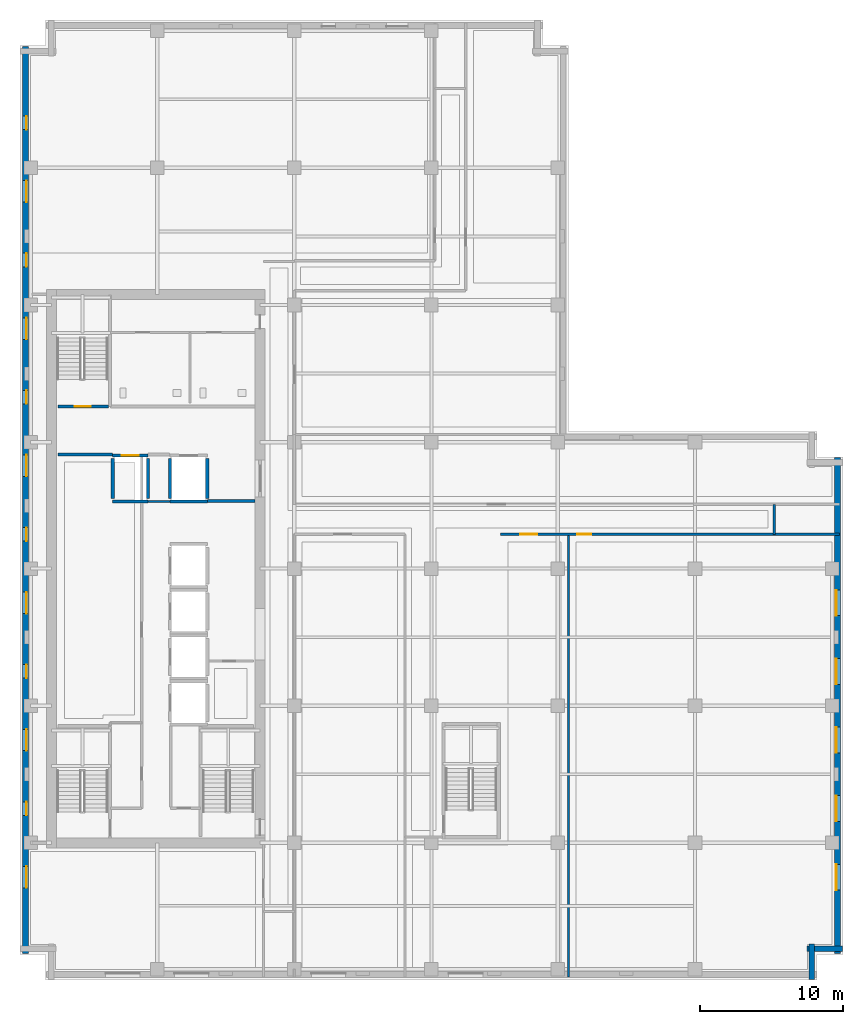
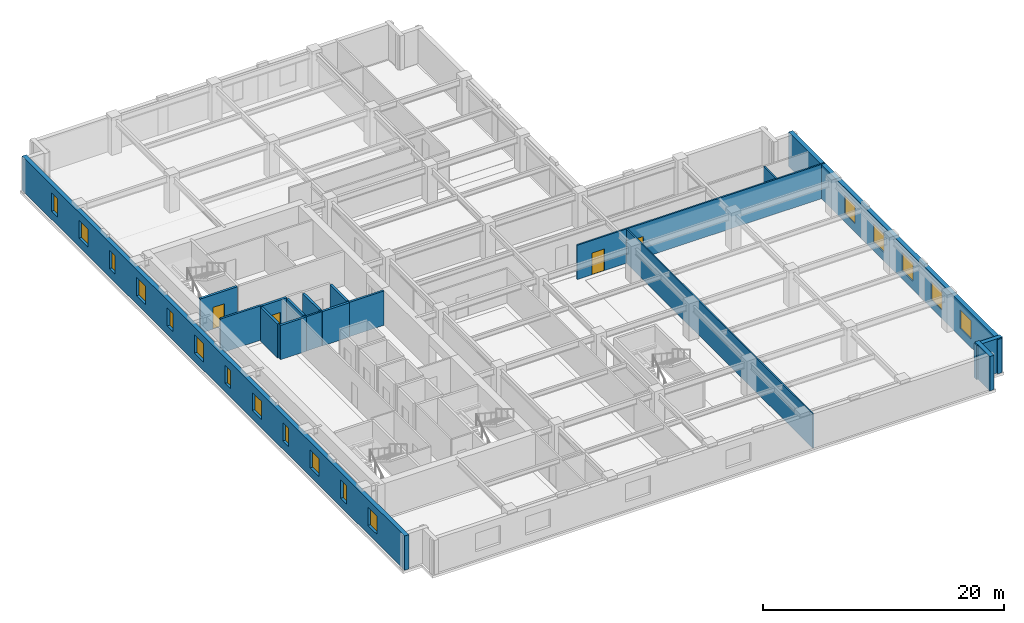
# One storey, part 6 of 13: 18 walls, 17 windows, 4 doors, 21 openings.
"""IFC4 building model written with IfcOpenShell, lengths in metres."""

from ifc_helpers import new_model, si_unit, direction, frame, frame_2d, origin, place, context, subcontext, project, spatial, rectangle, extrude, material, layer, layer_set, type_object, element, fill, save


model = new_model("IFC4")

# Units and contexts
model_context = context("Model", 3, precision=1e-05, world=origin(), true_north=direction((0.0, 1.0)))
body_context = subcontext(model_context, "Body", "Model", "MODEL_VIEW")
ifc_project = project(units=[si_unit("LENGTHUNIT", "METRE"), si_unit("AREAUNIT", "SQUARE_METRE"), si_unit("VOLUMEUNIT", "CUBIC_METRE"), si_unit("PLANEANGLEUNIT", "RADIAN"), si_unit("MASSUNIT", "GRAM", prefix="KILO")], contexts=[model_context])

# Site, building, storey
site_placement = place(None, origin())
site = spatial("IfcSite", under=ifc_project, at=site_placement, CompositionType="ELEMENT")
building_placement = place(site_placement, origin())
building = spatial("IfcBuilding", under=site, at=building_placement, Name="Norrvale University Quadrangle", CompositionType="ELEMENT")
storey_placement = place(building_placement, frame((0.0, 0.0, 190.199951171875)))
storey = spatial("IfcBuildingStorey", under=building, at=storey_placement, Name="L48", CompositionType="ELEMENT", Elevation=190.199951171875)

# Walls
ifc_material_1 = material(Name="Standard Academic Gypsum Partition")
ifc_layer_1 = layer(ifc_material_1, 0.125, Name="Standard Academic Gypsum Partition")
ifc_layer_set_1 = layer_set([ifc_layer_1], Name="Standard Academic Gypsum Partition")
wall_type_1 = type_object("IfcWallType", Name="Wall Gypsum Academic 125", PredefinedType="PARTITIONING", material=ifc_layer_set_1)
wall_1_placement = place(storey_placement, frame((38.39990234375, 0.219970703125, 0.0), z_axis=(0.0, 0.0, 1.0), x_axis=(0.0, 1.0, 0.0)))
element("IfcWall", 1, at=wall_1_placement, inside=storey, type_object=wall_type_1, Name="Interior Partition WL-L48-SEP2", PredefinedType="PARTITIONING", context=body_context, shape_type="SweptSolid", body=[
    extrude(rectangle(XDim=30.97998046875, YDim=0.125, at=frame_2d((15.489990234375, 0.0))), origin(), (0.0, 0.0, 1.0), 3.47998046875),
])
ifc_material_2 = material(Name="Fire-Rated Gypsum Stud Partition")
ifc_layer_2 = layer(ifc_material_2, 0.14990234375, Name="Fire-Rated Gypsum Stud Partition")
ifc_layer_set_2 = layer_set([ifc_layer_2], Name="Fire-Rated Gypsum Stud Partition")
wall_type_2 = type_object("IfcWallType", Name="Wall Gypsum Corridor 150", PredefinedType="PARTITIONING", material=ifc_layer_set_2)
wall_2_placement = place(storey_placement, frame((8.965087890625, 33.489990234375, 0.0), z_axis=(0.0, 0.0, 1.0), x_axis=(1.0, 0.0, 0.0)))
element("IfcWall", 2, at=wall_2_placement, inside=storey, type_object=wall_type_2, Name="Interior Partition WL-L48-LL3", PredefinedType="PARTITIONING", context=body_context, shape_type="SweptSolid", body=[
    extrude(rectangle(XDim=1.52001953125, YDim=0.14990234375, at=frame_2d((0.760009765625, 0.0))), origin(), (0.0, 0.0, 1.0), 3.47998046875),
])
wall_3_placement = place(storey_placement, frame((52.800048828125, 31.199951171875, 0.0), z_axis=(0.0, 0.0, 1.0), x_axis=(0.0, 1.0, 0.0)))
element("IfcWall", 3, at=wall_3_placement, inside=storey, type_object=wall_type_2, Name="Interior Partition WL-L48-CESP-E", PredefinedType="PARTITIONING", context=body_context, shape_type="SweptSolid", body=[
    extrude(rectangle(XDim=2.10009765625, YDim=0.14990234375, at=frame_2d((1.050048828125, 0.0))), origin(), (0.0, 0.0, 1.0), 3.47998046875),
])

# Wall, openings, doors
wall_4_placement = place(storey_placement, frame((33.6201171875, 31.199951171875, 0.0), z_axis=(0.0, 0.0, 1.0), x_axis=(1.0, 0.0, 0.0)))
wall_4 = element("IfcWall", 4, at=wall_4_placement, inside=storey, type_object=wall_type_2, Name="Interior Partition WL-L48-SEW2", PredefinedType="PARTITIONING", context=body_context, shape_type="SweptSolid", body=[
    extrude(rectangle(XDim=23.759765625, YDim=0.14990234375, at=frame_2d((11.8798828125, 0.0))), origin(), (0.0, 0.0, 1.0), 3.47998046875),
])
opening_1_placement = place(wall_4_placement, frame((1.39990234375, 0.0, 0.0)))
opening_1 = element("IfcOpeningElement", 5, at=opening_1_placement, cuts=wall_4, Name="Opening D05", PredefinedType="OPENING", context=body_context, shape_type="SweptSolid", body=[
    extrude(rectangle(XDim=1.199951171875, YDim=2.199951171875, at=frame_2d((0.60009765625, 1.10009765625))), frame((0.0, 0.0869140625, 0.0), z_axis=(0.0, -1.0, 0.0), x_axis=(1.0, 0.0, 0.0)), (0.0, 0.0, 1.0), 0.173828125),
])
opening_2_placement = place(wall_4_placement, frame((5.39990234375, 0.0, 0.0)))
opening_2 = element("IfcOpeningElement", 6, at=opening_2_placement, cuts=wall_4, Name="Opening D07", PredefinedType="OPENING", context=body_context, shape_type="SweptSolid", body=[
    extrude(rectangle(XDim=0.949951171875, YDim=2.14990234375, at=frame_2d((0.47509765625, 1.074951171875))), frame((0.0, 0.0869140625, 0.0), z_axis=(0.0, -1.0, 0.0), x_axis=(1.0, 0.0, 0.0)), (0.0, 0.0, 1.0), 0.173828125),
])
ifc_material_3 = material(Name="Acoustic Oak Classroom Door", Category="wood")
door_type_1 = type_object("IfcDoorType", Name="Door Classroom 1200x2200", OperationType="NOTDEFINED", PredefinedType="DOOR", material=ifc_material_3)
door_1_placement = place(opening_1_placement, origin())
door_1 = element("IfcDoor", 7, at=door_1_placement, inside=storey, type_object=door_type_1, Name="Door Classroom 1200x2200 DR-L48-SE2", OperationType="SINGLE_SWING_RIGHT", OverallHeight=2.199951171875, OverallWidth=1.199951171875, PredefinedType="DOOR", context=body_context, shape_type="SweptSolid", body=[
    extrude(rectangle(XDim=1.199951171875, YDim=2.199951171875, at=frame_2d((0.60009765625, 1.10009765625))), frame((0.0, 0.02490234375, 0.0), z_axis=(0.0, -1.0, 0.0), x_axis=(1.0, 0.0, 0.0)), (0.0, 0.0, 1.0), 0.050048828125),
])
fill(opening_1, door_1)
ifc_material_4 = material(Name="Solid-Core Maple Door", Category="wood")
door_type_2 = type_object("IfcDoorType", Name="Door Office 950x2150", OperationType="NOTDEFINED", PredefinedType="DOOR", material=ifc_material_4)
door_2_placement = place(opening_2_placement, origin())
door_2 = element("IfcDoor", 8, at=door_2_placement, inside=storey, type_object=door_type_2, Name="Door Office 950x2150 DR-L48-SE3", OperationType="SINGLE_SWING_LEFT", OverallHeight=2.14990234375, OverallWidth=0.949951171875, PredefinedType="DOOR", context=body_context, shape_type="SweptSolid", body=[
    extrude(rectangle(XDim=0.949951171875, YDim=2.14990234375, at=frame_2d((0.47509765625, 1.074951171875))), frame((0.0, 0.02490234375, 0.0), z_axis=(0.0, -1.0, 0.0), x_axis=(1.0, 0.0, 0.0)), (0.0, 0.0, 1.0), 0.050048828125),
])
fill(opening_2, door_2)

# Walls
ifc_material_5 = material(Name="Concrete Blockwork 20 MPa Rated Wall", Category="masonry")
ifc_layer_3 = layer(ifc_material_5, 0.199951171875, Name="Concrete Blockwork 20 MPa Rated Wall")
ifc_layer_set_3 = layer_set([ifc_layer_3], Name="Concrete Blockwork 20 MPa Rated Wall")
wall_type_3 = type_object("IfcWallType", Name="Wall Lobby 200", PredefinedType="SOLIDWALL", material=ifc_layer_set_3)
wall_5_placement = place(storey_placement, frame((2.64990234375, 36.780029296875, 0.0), z_axis=(0.0, 0.0, 1.0), x_axis=(1.0, 0.0, 0.0)))
element("IfcWall", 9, at=wall_5_placement, inside=storey, type_object=wall_type_3, Name="Interior Partition WL-L48-FF1", PredefinedType="SOLIDWALL", context=body_context, shape_type="SweptSolid", body=[
    extrude(rectangle(XDim=3.830078125, YDim=0.199951171875, at=frame_2d((1.9150390625, 0.0))), origin(), (0.0, 0.0, 1.0), 3.47998046875),
])
wall_6_placement = place(storey_placement, frame((13.1201171875, 33.52001953125, 0.0), z_axis=(0.0, 0.0, 1.0), x_axis=(1.0, 0.0, 0.0)))
element("IfcWall", 10, at=wall_6_placement, inside=storey, type_object=wall_type_3, Name="Interior Partition WL-L48-FF3", PredefinedType="SOLIDWALL", context=body_context, shape_type="SweptSolid", body=[
    extrude(rectangle(XDim=3.329833984375, YDim=0.199951171875, at=frame_2d((1.6650390625, 0.0))), origin(), (0.0, 0.0, 1.0), 3.47998046875),
])
ifc_material_6 = material(Name="Red Manganese Brick Masonry", Category="masonry")
ifc_layer_4 = layer(ifc_material_6, 0.39990234375, Name="Red Manganese Brick Masonry")
ifc_layer_set_4 = layer_set([ifc_layer_4], Name="Red Manganese Brick Masonry")
wall_type_4 = type_object("IfcWallType", Name="Wall Red Brick 400", PredefinedType="SOLIDWALL", material=ifc_layer_set_4)
for number, where, z_axis, x_axis, name in (
    (11, (55.419921875, 0.0400390625, 0.0), (0.0, 0.0, 1.0), (0.0, 1.0, 0.0), "Exterior Brick Facade Wall L48-02.1"),
    (12, (55.080078125, 2.179931640625, 0.0), (0.0, 0.0, 1.0), (1.0, 0.0, 0.0), "Exterior Brick Facade Wall L48-03.1"),
):
    element("IfcWall", number, at=place(storey_placement, frame(where, z_axis=z_axis, x_axis=x_axis)), inside=storey, type_object=wall_type_4, Name=name, PredefinedType="SOLIDWALL", context=body_context, shape_type="SweptSolid", body=[
        extrude(rectangle(XDim=2.47998046875, YDim=0.39990234375, at=frame_2d((1.239990234375, 0.0))), origin(), (0.0, 0.0, 1.0), 3.47998046875),
    ])

# Wall, openings, windows
wall_7_placement = place(storey_placement, frame((57.219970703125, 1.840087890625, 0.0), z_axis=(0.0, 0.0, 1.0), x_axis=(0.0, 1.0, 0.0)))
wall_7 = element("IfcWall", 13, at=wall_7_placement, inside=storey, type_object=wall_type_4, Name="Exterior Brick Facade Wall L48-04.1", PredefinedType="SOLIDWALL", context=body_context, shape_type="SweptSolid", body=[
    extrude(rectangle(XDim=34.719970703125, YDim=0.39990234375, at=frame_2d((17.35986328125, 0.0))), origin(), (0.0, 0.0, 1.0), 3.47998046875),
])
opening_3_placement = place(wall_7_placement, frame((4.4599609375, 0.0, 0.85009765625)))
opening_3 = element("IfcOpeningElement", 14, at=opening_3_placement, cuts=wall_7, Name="Opening W01", PredefinedType="OPENING", context=body_context, shape_type="SweptSolid", body=[
    extrude(rectangle(XDim=1.800048828125, YDim=1.85009765625, at=frame_2d((0.89990234375, 0.925048828125))), frame((0.0, 0.2119140625, 0.0), z_axis=(0.0, -1.0, 0.0), x_axis=(1.0, 0.0, 0.0)), (0.0, 0.0, 1.0), 0.423828125),
])
opening_4_placement = place(wall_7_placement, frame((9.260009765625, 0.0, 0.85009765625)))
opening_4 = element("IfcOpeningElement", 15, at=opening_4_placement, cuts=wall_7, Name="Opening W01", PredefinedType="OPENING", context=body_context, shape_type="SweptSolid", body=[
    extrude(rectangle(XDim=1.800048828125, YDim=1.85009765625, at=frame_2d((0.89990234375, 0.925048828125))), frame((0.0, 0.2119140625, 0.0), z_axis=(0.0, -1.0, 0.0), x_axis=(1.0, 0.0, 0.0)), (0.0, 0.0, 1.0), 0.423828125),
])
opening_5_placement = place(wall_7_placement, frame((14.06005859375, 0.0, 0.85009765625)))
opening_5 = element("IfcOpeningElement", 16, at=opening_5_placement, cuts=wall_7, Name="Opening W01", PredefinedType="OPENING", context=body_context, shape_type="SweptSolid", body=[
    extrude(rectangle(XDim=1.800048828125, YDim=1.85009765625, at=frame_2d((0.89990234375, 0.925048828125))), frame((0.0, 0.2119140625, 0.0), z_axis=(0.0, -1.0, 0.0), x_axis=(1.0, 0.0, 0.0)), (0.0, 0.0, 1.0), 0.423828125),
])
opening_6_placement = place(wall_7_placement, frame((18.860107421875, 0.0, 0.85009765625)))
opening_6 = element("IfcOpeningElement", 17, at=opening_6_placement, cuts=wall_7, Name="Opening W01", PredefinedType="OPENING", context=body_context, shape_type="SweptSolid", body=[
    extrude(rectangle(XDim=1.800048828125, YDim=1.85009765625, at=frame_2d((0.89990234375, 0.925048828125))), frame((0.0, 0.2119140625, 0.0), z_axis=(0.0, -1.0, 0.0), x_axis=(1.0, 0.0, 0.0)), (0.0, 0.0, 1.0), 0.423828125),
])
opening_7_placement = place(wall_7_placement, frame((23.659912109375, 0.0, 0.85009765625)))
opening_7 = element("IfcOpeningElement", 18, at=opening_7_placement, cuts=wall_7, Name="Opening W01", PredefinedType="OPENING", context=body_context, shape_type="SweptSolid", body=[
    extrude(rectangle(XDim=1.800048828125, YDim=1.85009765625, at=frame_2d((0.89990234375, 0.925048828125))), frame((0.0, 0.2119140625, 0.0), z_axis=(0.0, -1.0, 0.0), x_axis=(1.0, 0.0, 0.0)), (0.0, 0.0, 1.0), 0.423828125),
])
ifc_material_7 = material(Name="Triple Low-E Argon Glazing", Category="glass")
window_type_1 = type_object("IfcWindowType", Name="Window Academic 1800x2300", PartitioningType="DOUBLE_PANEL_VERTICAL", PredefinedType="WINDOW", material=ifc_material_7)
window_1_placement = place(opening_3_placement, origin())
window_1 = element("IfcWindow", 19, at=window_1_placement, inside=storey, type_object=window_type_1, Name="Window Academic 1800x2300 WIN-L48-E04-1-01", OverallHeight=1.85009765625, OverallWidth=1.800048828125, PartitioningType="DOUBLE_PANEL_VERTICAL", PredefinedType="WINDOW", context=body_context, shape_type="SweptSolid", body=[
    extrude(rectangle(XDim=1.800048828125, YDim=1.85009765625, at=frame_2d((0.89990234375, 0.925048828125))), frame((0.0, 0.110107421875, 0.0), z_axis=(0.0, -1.0, 0.0), x_axis=(1.0, 0.0, 0.0)), (0.0, 0.0, 1.0), 0.06005859375),
])
fill(opening_3, window_1)
window_2_placement = place(opening_4_placement, origin())
window_2 = element("IfcWindow", 20, at=window_2_placement, inside=storey, type_object=window_type_1, Name="Window Academic 1800x2300 WIN-L48-E04-1-02", OverallHeight=1.85009765625, OverallWidth=1.800048828125, PartitioningType="DOUBLE_PANEL_VERTICAL", PredefinedType="WINDOW", context=body_context, shape_type="SweptSolid", body=[
    extrude(rectangle(XDim=1.800048828125, YDim=1.85009765625, at=frame_2d((0.89990234375, 0.925048828125))), frame((0.0, 0.110107421875, 0.0), z_axis=(0.0, -1.0, 0.0), x_axis=(1.0, 0.0, 0.0)), (0.0, 0.0, 1.0), 0.06005859375),
])
fill(opening_4, window_2)
window_3_placement = place(opening_5_placement, origin())
window_3 = element("IfcWindow", 21, at=window_3_placement, inside=storey, type_object=window_type_1, Name="Window Academic 1800x2300 WIN-L48-E04-1-03", OverallHeight=1.85009765625, OverallWidth=1.800048828125, PartitioningType="DOUBLE_PANEL_VERTICAL", PredefinedType="WINDOW", context=body_context, shape_type="SweptSolid", body=[
    extrude(rectangle(XDim=1.800048828125, YDim=1.85009765625, at=frame_2d((0.89990234375, 0.925048828125))), frame((0.0, 0.110107421875, 0.0), z_axis=(0.0, -1.0, 0.0), x_axis=(1.0, 0.0, 0.0)), (0.0, 0.0, 1.0), 0.06005859375),
])
fill(opening_5, window_3)
window_4_placement = place(opening_6_placement, origin())
window_4 = element("IfcWindow", 22, at=window_4_placement, inside=storey, type_object=window_type_1, Name="Window Academic 1800x2300 WIN-L48-E04-1-04", OverallHeight=1.85009765625, OverallWidth=1.800048828125, PartitioningType="DOUBLE_PANEL_VERTICAL", PredefinedType="WINDOW", context=body_context, shape_type="SweptSolid", body=[
    extrude(rectangle(XDim=1.800048828125, YDim=1.85009765625, at=frame_2d((0.89990234375, 0.925048828125))), frame((0.0, 0.110107421875, 0.0), z_axis=(0.0, -1.0, 0.0), x_axis=(1.0, 0.0, 0.0)), (0.0, 0.0, 1.0), 0.06005859375),
])
fill(opening_6, window_4)
window_5_placement = place(opening_7_placement, origin())
window_5 = element("IfcWindow", 23, at=window_5_placement, inside=storey, type_object=window_type_1, Name="Window Academic 1800x2300 WIN-L48-E04-1-05", OverallHeight=1.85009765625, OverallWidth=1.800048828125, PartitioningType="DOUBLE_PANEL_VERTICAL", PredefinedType="WINDOW", context=body_context, shape_type="SweptSolid", body=[
    extrude(rectangle(XDim=1.800048828125, YDim=1.85009765625, at=frame_2d((0.89990234375, 0.925048828125))), frame((0.0, 0.110107421875, 0.0), z_axis=(0.0, -1.0, 0.0), x_axis=(1.0, 0.0, 0.0)), (0.0, 0.0, 1.0), 0.06005859375),
])
fill(opening_7, window_5)

wall_8_placement = place(storey_placement, frame((0.3798828125, 65.360107421875, 0.0), z_axis=(0.0, 0.0, 1.0), x_axis=(0.0, -1.0, 0.0)))
wall_8 = element("IfcWall", 24, at=wall_8_placement, inside=storey, type_object=wall_type_4, Name="Exterior Brick Facade Wall L48-14.1", PredefinedType="SOLIDWALL", context=body_context, shape_type="SweptSolid", body=[
    extrude(rectangle(XDim=63.52001953125, YDim=0.39990234375, at=frame_2d((31.760009765625, 0.0))), origin(), (0.0, 0.0, 1.0), 3.47998046875),
])
opening_8_placement = place(wall_8_placement, frame((4.885009765625, 0.0, 0.85009765625)))
opening_8 = element("IfcOpeningElement", 25, at=opening_8_placement, cuts=wall_8, Name="Opening W04", PredefinedType="OPENING", context=body_context, shape_type="SweptSolid", body=[
    extrude(rectangle(XDim=0.949951171875, YDim=1.85009765625, at=frame_2d((0.47509765625, 0.925048828125))), frame((0.0, 0.2119140625, 0.0), z_axis=(0.0, -1.0, 0.0), x_axis=(1.0, 0.0, 0.0)), (0.0, 0.0, 1.0), 0.423828125),
])
opening_9_placement = place(wall_8_placement, frame((9.409912109375, 0.0, 0.85009765625)))
opening_9 = element("IfcOpeningElement", 26, at=opening_9_placement, cuts=wall_8, Name="Opening W03", PredefinedType="OPENING", context=body_context, shape_type="SweptSolid", body=[
    extrude(rectangle(XDim=1.5, YDim=1.85009765625, at=frame_2d((0.75, 0.925048828125))), frame((0.0, 0.2119140625, 0.0), z_axis=(0.0, -1.0, 0.0), x_axis=(1.0, 0.0, 0.0)), (0.0, 0.0, 1.0), 0.423828125),
])
opening_10_placement = place(wall_8_placement, frame((14.485107421875, 0.0, 0.85009765625)))
opening_10 = element("IfcOpeningElement", 27, at=opening_10_placement, cuts=wall_8, Name="Opening W04", PredefinedType="OPENING", context=body_context, shape_type="SweptSolid", body=[
    extrude(rectangle(XDim=0.949951171875, YDim=1.85009765625, at=frame_2d((0.47509765625, 0.925048828125))), frame((0.0, 0.2119140625, 0.0), z_axis=(0.0, -1.0, 0.0), x_axis=(1.0, 0.0, 0.0)), (0.0, 0.0, 1.0), 0.423828125),
])
opening_11_placement = place(wall_8_placement, frame((19.010009765625, 0.0, 0.85009765625)))
opening_11 = element("IfcOpeningElement", 28, at=opening_11_placement, cuts=wall_8, Name="Opening W03", PredefinedType="OPENING", context=body_context, shape_type="SweptSolid", body=[
    extrude(rectangle(XDim=1.5, YDim=1.85009765625, at=frame_2d((0.75, 0.925048828125))), frame((0.0, 0.2119140625, 0.0), z_axis=(0.0, -1.0, 0.0), x_axis=(1.0, 0.0, 0.0)), (0.0, 0.0, 1.0), 0.423828125),
])
opening_12_placement = place(wall_8_placement, frame((24.0849609375, 0.0, 0.85009765625)))
opening_12 = element("IfcOpeningElement", 29, at=opening_12_placement, cuts=wall_8, Name="Opening W04", PredefinedType="OPENING", context=body_context, shape_type="SweptSolid", body=[
    extrude(rectangle(XDim=0.949951171875, YDim=1.85009765625, at=frame_2d((0.47509765625, 0.925048828125))), frame((0.0, 0.2119140625, 0.0), z_axis=(0.0, -1.0, 0.0), x_axis=(1.0, 0.0, 0.0)), (0.0, 0.0, 1.0), 0.423828125),
])
opening_13_placement = place(wall_8_placement, frame((28.610107421875, 0.0, 0.85009765625)))
opening_13 = element("IfcOpeningElement", 30, at=opening_13_placement, cuts=wall_8, Name="Opening W03", PredefinedType="OPENING", context=body_context, shape_type="SweptSolid", body=[
    extrude(rectangle(XDim=1.5, YDim=1.85009765625, at=frame_2d((0.75, 0.925048828125))), frame((0.0, 0.2119140625, 0.0), z_axis=(0.0, -1.0, 0.0), x_axis=(1.0, 0.0, 0.0)), (0.0, 0.0, 1.0), 0.423828125),
])
opening_14_placement = place(wall_8_placement, frame((33.68505859375, 0.0, 0.85009765625)))
opening_14 = element("IfcOpeningElement", 31, at=opening_14_placement, cuts=wall_8, Name="Opening W04", PredefinedType="OPENING", context=body_context, shape_type="SweptSolid", body=[
    extrude(rectangle(XDim=0.949951171875, YDim=1.85009765625, at=frame_2d((0.47509765625, 0.925048828125))), frame((0.0, 0.2119140625, 0.0), z_axis=(0.0, -1.0, 0.0), x_axis=(1.0, 0.0, 0.0)), (0.0, 0.0, 1.0), 0.423828125),
])
opening_15_placement = place(wall_8_placement, frame((38.2099609375, 0.0, 0.85009765625)))
opening_15 = element("IfcOpeningElement", 32, at=opening_15_placement, cuts=wall_8, Name="Opening W03", PredefinedType="OPENING", context=body_context, shape_type="SweptSolid", body=[
    extrude(rectangle(XDim=1.5, YDim=1.85009765625, at=frame_2d((0.75, 0.925048828125))), frame((0.0, 0.2119140625, 0.0), z_axis=(0.0, -1.0, 0.0), x_axis=(1.0, 0.0, 0.0)), (0.0, 0.0, 1.0), 0.423828125),
])
opening_16_placement = place(wall_8_placement, frame((43.284912109375, 0.0, 0.85009765625)))
opening_16 = element("IfcOpeningElement", 33, at=opening_16_placement, cuts=wall_8, Name="Opening W04", PredefinedType="OPENING", context=body_context, shape_type="SweptSolid", body=[
    extrude(rectangle(XDim=0.949951171875, YDim=1.85009765625, at=frame_2d((0.47509765625, 0.925048828125))), frame((0.0, 0.2119140625, 0.0), z_axis=(0.0, -1.0, 0.0), x_axis=(1.0, 0.0, 0.0)), (0.0, 0.0, 1.0), 0.423828125),
])
opening_17_placement = place(wall_8_placement, frame((47.81005859375, 0.0, 0.85009765625)))
opening_17 = element("IfcOpeningElement", 34, at=opening_17_placement, cuts=wall_8, Name="Opening W03", PredefinedType="OPENING", context=body_context, shape_type="SweptSolid", body=[
    extrude(rectangle(XDim=1.5, YDim=1.85009765625, at=frame_2d((0.75, 0.925048828125))), frame((0.0, 0.2119140625, 0.0), z_axis=(0.0, -1.0, 0.0), x_axis=(1.0, 0.0, 0.0)), (0.0, 0.0, 1.0), 0.423828125),
])
opening_18_placement = place(wall_8_placement, frame((52.885009765625, 0.0, 0.85009765625)))
opening_18 = element("IfcOpeningElement", 35, at=opening_18_placement, cuts=wall_8, Name="Opening W04", PredefinedType="OPENING", context=body_context, shape_type="SweptSolid", body=[
    extrude(rectangle(XDim=0.949951171875, YDim=1.85009765625, at=frame_2d((0.47509765625, 0.925048828125))), frame((0.0, 0.2119140625, 0.0), z_axis=(0.0, -1.0, 0.0), x_axis=(1.0, 0.0, 0.0)), (0.0, 0.0, 1.0), 0.423828125),
])
opening_19_placement = place(wall_8_placement, frame((57.409912109375, 0.0, 0.85009765625)))
opening_19 = element("IfcOpeningElement", 36, at=opening_19_placement, cuts=wall_8, Name="Opening W03", PredefinedType="OPENING", context=body_context, shape_type="SweptSolid", body=[
    extrude(rectangle(XDim=1.5, YDim=1.85009765625, at=frame_2d((0.75, 0.925048828125))), frame((0.0, 0.2119140625, 0.0), z_axis=(0.0, -1.0, 0.0), x_axis=(1.0, 0.0, 0.0)), (0.0, 0.0, 1.0), 0.423828125),
])
window_type_2 = type_object("IfcWindowType", Name="Window Narrow Pier 950x2300", PartitioningType="SINGLE_PANEL", PredefinedType="WINDOW", material=ifc_material_7)
window_6_placement = place(opening_8_placement, origin())
window_6 = element("IfcWindow", 37, at=window_6_placement, inside=storey, type_object=window_type_2, Name="Window Narrow Pier 950x2300 WIN-L48-E14-1-01", OverallHeight=1.85009765625, OverallWidth=0.949951171875, PartitioningType="SINGLE_PANEL", PredefinedType="WINDOW", context=body_context, shape_type="SweptSolid", body=[
    extrude(rectangle(XDim=0.949951171875, YDim=1.85009765625, at=frame_2d((0.47509765625, 0.925048828125))), frame((0.0, 0.110107421875, 0.0), z_axis=(0.0, -1.0, 0.0), x_axis=(1.0, 0.0, 0.0)), (0.0, 0.0, 1.0), 0.06005859375),
])
fill(opening_8, window_6)
window_7_placement = place(opening_10_placement, origin())
window_7 = element("IfcWindow", 38, at=window_7_placement, inside=storey, type_object=window_type_2, Name="Window Narrow Pier 950x2300 WIN-L48-E14-1-03", OverallHeight=1.85009765625, OverallWidth=0.949951171875, PartitioningType="SINGLE_PANEL", PredefinedType="WINDOW", context=body_context, shape_type="SweptSolid", body=[
    extrude(rectangle(XDim=0.949951171875, YDim=1.85009765625, at=frame_2d((0.47509765625, 0.925048828125))), frame((0.0, 0.110107421875, 0.0), z_axis=(0.0, -1.0, 0.0), x_axis=(1.0, 0.0, 0.0)), (0.0, 0.0, 1.0), 0.06005859375),
])
fill(opening_10, window_7)
window_8_placement = place(opening_12_placement, origin())
window_8 = element("IfcWindow", 39, at=window_8_placement, inside=storey, type_object=window_type_2, Name="Window Narrow Pier 950x2300 WIN-L48-E14-1-05", OverallHeight=1.85009765625, OverallWidth=0.949951171875, PartitioningType="SINGLE_PANEL", PredefinedType="WINDOW", context=body_context, shape_type="SweptSolid", body=[
    extrude(rectangle(XDim=0.949951171875, YDim=1.85009765625, at=frame_2d((0.47509765625, 0.925048828125))), frame((0.0, 0.110107421875, 0.0), z_axis=(0.0, -1.0, 0.0), x_axis=(1.0, 0.0, 0.0)), (0.0, 0.0, 1.0), 0.06005859375),
])
fill(opening_12, window_8)
window_9_placement = place(opening_14_placement, origin())
window_9 = element("IfcWindow", 40, at=window_9_placement, inside=storey, type_object=window_type_2, Name="Window Narrow Pier 950x2300 WIN-L48-E14-1-07", OverallHeight=1.85009765625, OverallWidth=0.949951171875, PartitioningType="SINGLE_PANEL", PredefinedType="WINDOW", context=body_context, shape_type="SweptSolid", body=[
    extrude(rectangle(XDim=0.949951171875, YDim=1.85009765625, at=frame_2d((0.47509765625, 0.925048828125))), frame((0.0, 0.110107421875, 0.0), z_axis=(0.0, -1.0, 0.0), x_axis=(1.0, 0.0, 0.0)), (0.0, 0.0, 1.0), 0.06005859375),
])
fill(opening_14, window_9)
window_10_placement = place(opening_16_placement, origin())
window_10 = element("IfcWindow", 41, at=window_10_placement, inside=storey, type_object=window_type_2, Name="Window Narrow Pier 950x2300 WIN-L48-E14-1-09", OverallHeight=1.85009765625, OverallWidth=0.949951171875, PartitioningType="SINGLE_PANEL", PredefinedType="WINDOW", context=body_context, shape_type="SweptSolid", body=[
    extrude(rectangle(XDim=0.949951171875, YDim=1.85009765625, at=frame_2d((0.47509765625, 0.925048828125))), frame((0.0, 0.110107421875, 0.0), z_axis=(0.0, -1.0, 0.0), x_axis=(1.0, 0.0, 0.0)), (0.0, 0.0, 1.0), 0.06005859375),
])
fill(opening_16, window_10)
window_11_placement = place(opening_18_placement, origin())
window_11 = element("IfcWindow", 42, at=window_11_placement, inside=storey, type_object=window_type_2, Name="Window Narrow Pier 950x2300 WIN-L48-E14-1-11", OverallHeight=1.85009765625, OverallWidth=0.949951171875, PartitioningType="SINGLE_PANEL", PredefinedType="WINDOW", context=body_context, shape_type="SweptSolid", body=[
    extrude(rectangle(XDim=0.949951171875, YDim=1.85009765625, at=frame_2d((0.47509765625, 0.925048828125))), frame((0.0, 0.110107421875, 0.0), z_axis=(0.0, -1.0, 0.0), x_axis=(1.0, 0.0, 0.0)), (0.0, 0.0, 1.0), 0.06005859375),
])
fill(opening_18, window_11)
window_type_3 = type_object("IfcWindowType", Name="Window Studio 1500x2300", PartitioningType="DOUBLE_PANEL_VERTICAL", PredefinedType="WINDOW", material=ifc_material_7)
window_12_placement = place(opening_9_placement, origin())
window_12 = element("IfcWindow", 43, at=window_12_placement, inside=storey, type_object=window_type_3, Name="Window Studio 1500x2300 WIN-L48-E14-1-02", OverallHeight=1.85009765625, OverallWidth=1.5, PartitioningType="DOUBLE_PANEL_VERTICAL", PredefinedType="WINDOW", context=body_context, shape_type="SweptSolid", body=[
    extrude(rectangle(XDim=1.5, YDim=1.85009765625, at=frame_2d((0.75, 0.925048828125))), frame((0.0, 0.110107421875, 0.0), z_axis=(0.0, -1.0, 0.0), x_axis=(1.0, 0.0, 0.0)), (0.0, 0.0, 1.0), 0.06005859375),
])
fill(opening_9, window_12)
window_13_placement = place(opening_11_placement, origin())
window_13 = element("IfcWindow", 44, at=window_13_placement, inside=storey, type_object=window_type_3, Name="Window Studio 1500x2300 WIN-L48-E14-1-04", OverallHeight=1.85009765625, OverallWidth=1.5, PartitioningType="DOUBLE_PANEL_VERTICAL", PredefinedType="WINDOW", context=body_context, shape_type="SweptSolid", body=[
    extrude(rectangle(XDim=1.5, YDim=1.85009765625, at=frame_2d((0.75, 0.925048828125))), frame((0.0, 0.110107421875, 0.0), z_axis=(0.0, -1.0, 0.0), x_axis=(1.0, 0.0, 0.0)), (0.0, 0.0, 1.0), 0.06005859375),
])
fill(opening_11, window_13)
window_14_placement = place(opening_13_placement, origin())
window_14 = element("IfcWindow", 45, at=window_14_placement, inside=storey, type_object=window_type_3, Name="Window Studio 1500x2300 WIN-L48-E14-1-06", OverallHeight=1.85009765625, OverallWidth=1.5, PartitioningType="DOUBLE_PANEL_VERTICAL", PredefinedType="WINDOW", context=body_context, shape_type="SweptSolid", body=[
    extrude(rectangle(XDim=1.5, YDim=1.85009765625, at=frame_2d((0.75, 0.925048828125))), frame((0.0, 0.110107421875, 0.0), z_axis=(0.0, -1.0, 0.0), x_axis=(1.0, 0.0, 0.0)), (0.0, 0.0, 1.0), 0.06005859375),
])
fill(opening_13, window_14)
window_15_placement = place(opening_15_placement, origin())
window_15 = element("IfcWindow", 46, at=window_15_placement, inside=storey, type_object=window_type_3, Name="Window Studio 1500x2300 WIN-L48-E14-1-08", OverallHeight=1.85009765625, OverallWidth=1.5, PartitioningType="DOUBLE_PANEL_VERTICAL", PredefinedType="WINDOW", context=body_context, shape_type="SweptSolid", body=[
    extrude(rectangle(XDim=1.5, YDim=1.85009765625, at=frame_2d((0.75, 0.925048828125))), frame((0.0, 0.110107421875, 0.0), z_axis=(0.0, -1.0, 0.0), x_axis=(1.0, 0.0, 0.0)), (0.0, 0.0, 1.0), 0.06005859375),
])
fill(opening_15, window_15)
window_16_placement = place(opening_17_placement, origin())
window_16 = element("IfcWindow", 47, at=window_16_placement, inside=storey, type_object=window_type_3, Name="Window Studio 1500x2300 WIN-L48-E14-1-10", OverallHeight=1.85009765625, OverallWidth=1.5, PartitioningType="DOUBLE_PANEL_VERTICAL", PredefinedType="WINDOW", context=body_context, shape_type="SweptSolid", body=[
    extrude(rectangle(XDim=1.5, YDim=1.85009765625, at=frame_2d((0.75, 0.925048828125))), frame((0.0, 0.110107421875, 0.0), z_axis=(0.0, -1.0, 0.0), x_axis=(1.0, 0.0, 0.0)), (0.0, 0.0, 1.0), 0.06005859375),
])
fill(opening_17, window_16)
window_17_placement = place(opening_19_placement, origin())
window_17 = element("IfcWindow", 48, at=window_17_placement, inside=storey, type_object=window_type_3, Name="Window Studio 1500x2300 WIN-L48-E14-1-12", OverallHeight=1.85009765625, OverallWidth=1.5, PartitioningType="DOUBLE_PANEL_VERTICAL", PredefinedType="WINDOW", context=body_context, shape_type="SweptSolid", body=[
    extrude(rectangle(XDim=1.5, YDim=1.85009765625, at=frame_2d((0.75, 0.925048828125))), frame((0.0, 0.110107421875, 0.0), z_axis=(0.0, -1.0, 0.0), x_axis=(1.0, 0.0, 0.0)), (0.0, 0.0, 1.0), 0.06005859375),
])
fill(opening_19, window_17)

# Wall, opening, door
ifc_material_8 = material(Name="Concrete Blockwork 20 MPa Fire Shaft", Category="masonry")
ifc_layer_5 = layer(ifc_material_8, 0.219970703125, Name="Concrete Blockwork 20 MPa Fire Shaft")
ifc_layer_set_5 = layer_set([ifc_layer_5], Name="Concrete Blockwork 20 MPa Fire Shaft")
wall_type_5 = type_object("IfcWallType", Name="Wall Shaft 220", PredefinedType="SOLIDWALL", material=ifc_layer_set_5)
wall_9_placement = place(storey_placement, frame((2.64990234375, 40.139892578125, 0.0), z_axis=(0.0, 0.0, 1.0), x_axis=(1.0, 0.0, 0.0)))
wall_9 = element("IfcWall", 49, at=wall_9_placement, inside=storey, type_object=wall_type_5, Name="Stair ST-02 South Shaft Wall L48", PredefinedType="SOLIDWALL", context=body_context, shape_type="SweptSolid", body=[
    extrude(rectangle(XDim=3.550048828125, YDim=0.219970703125, at=frame_2d((1.77490234375, 0.0))), origin(), (0.0, 0.0, 1.0), 3.47998046875),
])
opening_20_placement = place(wall_9_placement, frame((1.199951171875, 0.0, 0.0)))
opening_20 = element("IfcOpeningElement", 50, at=opening_20_placement, cuts=wall_9, Name="Opening D02", PredefinedType="OPENING", context=body_context, shape_type="SweptSolid", body=[
    extrude(rectangle(XDim=1.10009765625, YDim=2.199951171875, at=frame_2d((0.550048828125, 1.10009765625))), frame((0.0, 0.1220703125, 0.0), z_axis=(0.0, -1.0, 0.0), x_axis=(1.0, 0.0, 0.0)), (0.0, 0.0, 1.0), 0.243896484375),
])
ifc_material_9 = material(Name="Hollow Steel 350W Fire Door", Category="steel")
door_type_3 = type_object("IfcDoorType", Name="Door Stair Exit 1100x2200", OperationType="NOTDEFINED", PredefinedType="DOOR", material=ifc_material_9)
door_3_placement = place(opening_20_placement, origin())
door_3 = element("IfcDoor", 51, at=door_3_placement, inside=storey, type_object=door_type_3, Name="Door Stair Exit 1100x2200 DR-L48-ST02", OperationType="SINGLE_SWING_LEFT", OverallHeight=2.199951171875, OverallWidth=1.10009765625, PredefinedType="DOOR", context=body_context, shape_type="SweptSolid", body=[
    extrude(rectangle(XDim=1.10009765625, YDim=2.199951171875, at=frame_2d((0.550048828125, 1.10009765625))), frame((0.0, 0.02490234375, 0.0), z_axis=(0.0, -1.0, 0.0), x_axis=(1.0, 0.0, 0.0)), (0.0, 0.0, 1.0), 0.050048828125),
])
fill(opening_20, door_3)

# Walls
for number, where, z_axis, x_axis, name in (
    (52, (6.489990234375, 33.7099609375, 0.0), (0.0, 0.0, 1.0), (0.0, 1.0, 0.0), "Hoistway FFL-01 West Wall L48"),
    (53, (8.9599609375, 33.7099609375, 0.0), (0.0, 0.0, 1.0), (0.0, 1.0, 0.0), "Hoistway FFL-01 East Wall L48"),
):
    element("IfcWall", number, at=place(storey_placement, frame(where, z_axis=z_axis, x_axis=x_axis)), inside=storey, type_object=wall_type_5, Name=name, PredefinedType="SOLIDWALL", context=body_context, shape_type="SweptSolid", body=[
        extrude(rectangle(XDim=2.780029296875, YDim=0.219970703125, at=frame_2d((1.39013671875, 0.0))), origin(), (0.0, 0.0, 1.0), 3.47998046875),
    ])
wall_10_placement = place(storey_placement, frame((6.489990234375, 33.489990234375, 0.0), z_axis=(0.0, 0.0, 1.0), x_axis=(1.0, 0.0, 0.0)))
element("IfcWall", 54, at=wall_10_placement, inside=storey, type_object=wall_type_5, Name="Hoistway FFL-01 South Wall L48", PredefinedType="SOLIDWALL", context=body_context, shape_type="SweptSolid", body=[
    extrude(rectangle(XDim=2.469970703125, YDim=0.219970703125, at=frame_2d((1.23486328125, 0.0))), origin(), (0.0, 0.0, 1.0), 3.47998046875),
])

# Wall, opening, door
wall_11_placement = place(storey_placement, frame((6.489990234375, 36.7099609375, 0.0), z_axis=(0.0, 0.0, 1.0), x_axis=(1.0, 0.0, 0.0)))
wall_11 = element("IfcWall", 55, at=wall_11_placement, inside=storey, type_object=wall_type_5, Name="Hoistway FFL-01 North Wall L48", PredefinedType="SOLIDWALL", context=body_context, shape_type="SweptSolid", body=[
    extrude(rectangle(XDim=2.469970703125, YDim=0.219970703125, at=frame_2d((1.23486328125, 0.0))), origin(), (0.0, 0.0, 1.0), 3.47998046875),
])
opening_21_placement = place(wall_11_placement, frame((0.635009765625, 0.0, 0.0)))
opening_21 = element("IfcOpeningElement", 56, at=opening_21_placement, cuts=wall_11, Name="Opening LD2", PredefinedType="OPENING", context=body_context, shape_type="SweptSolid", body=[
    extrude(rectangle(XDim=1.199951171875, YDim=2.199951171875, at=frame_2d((0.60009765625, 1.10009765625))), frame((0.0, 0.1220703125, 0.0), z_axis=(0.0, -1.0, 0.0), x_axis=(1.0, 0.0, 0.0)), (0.0, 0.0, 1.0), 0.243896484375),
])
ifc_material_10 = material(Name="Stainless Steel 316L Firefighter Lift Door", Category="steel")
door_type_4 = type_object("IfcDoorType", Name="Door Fire Lift 1200x2200", OperationType="DOUBLE_DOOR_SLIDING", PredefinedType="DOOR", material=ifc_material_10)
door_4_placement = place(opening_21_placement, origin())
door_4 = element("IfcDoor", 57, at=door_4_placement, inside=storey, type_object=door_type_4, Name="Elevator Landing Door DR-L48-FFL-01", OperationType="DOUBLE_DOOR_SLIDING", OverallHeight=2.199951171875, OverallWidth=1.199951171875, PredefinedType="DOOR", context=body_context, shape_type="SweptSolid", body=[
    extrude(rectangle(XDim=1.199951171875, YDim=2.199951171875, at=frame_2d((0.60009765625, 1.10009765625))), frame((0.0, 0.02490234375, 0.0), z_axis=(0.0, -1.0, 0.0), x_axis=(1.0, 0.0, 0.0)), (0.0, 0.0, 1.0), 0.050048828125),
])
fill(opening_21, door_4)

# Walls
for number, where, z_axis, x_axis, name in (
    (58, (10.489990234375, 33.7099609375, 0.0), (0.0, 0.0, 1.0), (0.0, 1.0, 0.0), "Hoistway FFL-02 West Wall L48"),
    (59, (13.110107421875, 33.7099609375, 0.0), (0.0, 0.0, 1.0), (0.0, 1.0, 0.0), "Hoistway FFL-02 East Wall L48"),
):
    element("IfcWall", number, at=place(storey_placement, frame(where, z_axis=z_axis, x_axis=x_axis)), inside=storey, type_object=wall_type_5, Name=name, PredefinedType="SOLIDWALL", context=body_context, shape_type="SweptSolid", body=[
        extrude(rectangle(XDim=2.780029296875, YDim=0.219970703125, at=frame_2d((1.39013671875, 0.0))), origin(), (0.0, 0.0, 1.0), 3.47998046875),
    ])
wall_12_placement = place(storey_placement, frame((10.489990234375, 33.489990234375, 0.0), z_axis=(0.0, 0.0, 1.0), x_axis=(1.0, 0.0, 0.0)))
element("IfcWall", 60, at=wall_12_placement, inside=storey, type_object=wall_type_5, Name="Hoistway FFL-02 South Wall L48", PredefinedType="SOLIDWALL", context=body_context, shape_type="SweptSolid", body=[
    extrude(rectangle(XDim=2.6201171875, YDim=0.219970703125, at=frame_2d((1.31005859375, 0.0))), origin(), (0.0, 0.0, 1.0), 3.47998046875),
])

save(model, "model.ifc")
